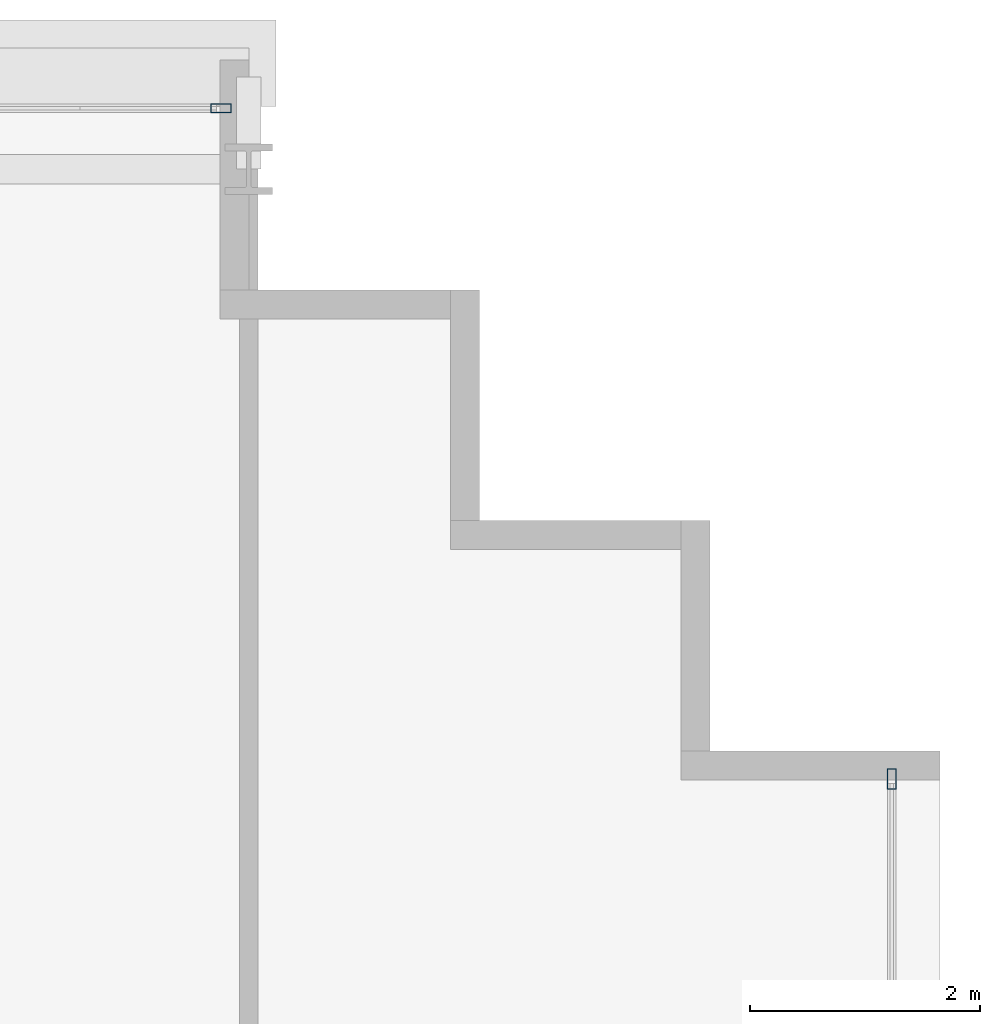
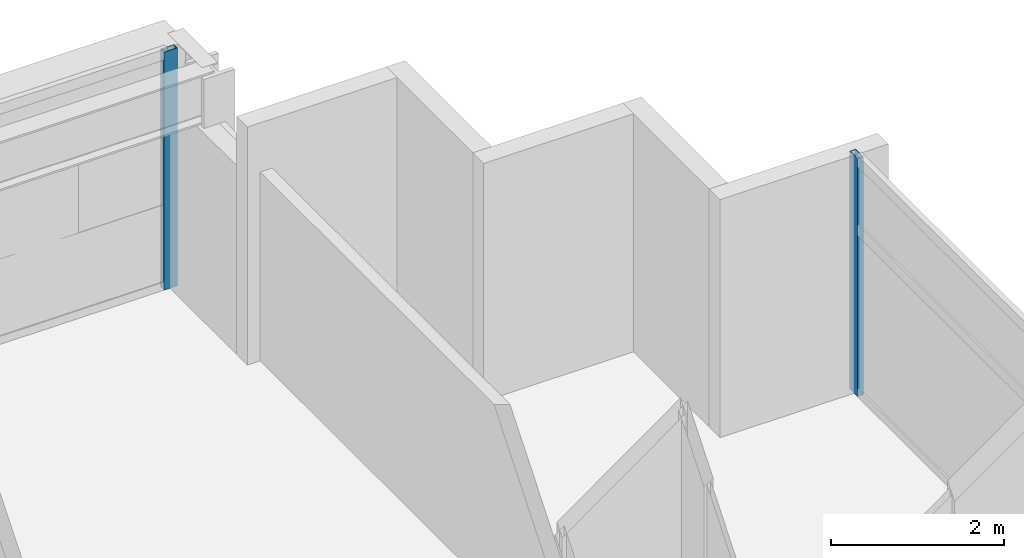
# One storey, part 22 of 35: 2 members, 2 elements without a shape of their own.
"""IFC4 building model written with IfcOpenShell, lengths in metres."""

from ifc_helpers import new_model, si_unit, direction, frame, origin, origin_2d, place, context, subcontext, project, spatial, hollow_rectangle, extrude, source, transform, mapped, material, layer, layer_set, material_profile, profile_set, type_object, element, aggregate, save


model = new_model("IFC4")

# Units and contexts
model_context = context("Model", 3, precision=1e-05, world=origin(), true_north=direction((0.0, 1.0)))
body_context = subcontext(model_context, "Body", "Model", "MODEL_VIEW")
ifc_project = project(units=[si_unit("LENGTHUNIT", "METRE"), si_unit("AREAUNIT", "SQUARE_METRE"), si_unit("VOLUMEUNIT", "CUBIC_METRE"), si_unit("PLANEANGLEUNIT", "RADIAN"), si_unit("MASSUNIT", "GRAM", prefix="KILO")], contexts=[model_context])

# Site, building, storey
site_placement = place(None, origin())
site = spatial("IfcSite", under=ifc_project, at=site_placement, CompositionType="ELEMENT")
building_placement = place(site_placement, origin())
building = spatial("IfcBuilding", under=site, at=building_placement, Name="Ocotamira Hotel", CompositionType="ELEMENT")
storey_placement = place(building_placement, frame((0.0, 0.0, 118.800048828125)))
storey = spatial("IfcBuildingStorey", under=building, at=storey_placement, Name="L29", CompositionType="ELEMENT", Elevation=118.800048828125)

# Curtain wall, member
ifc_material_1 = material(Name="Anodised pale-metal aluminium and solar glass", Category="aluminium")
ifc_layer = layer(ifc_material_1, 0.179931640625)
ifc_layer_set = layer_set([ifc_layer], Name="Anodised pale-metal aluminium and solar glass")
curtain_wall_type = type_object("IfcCurtainWallType", Name="CW-SYS3-Z2", PredefinedType="NOTDEFINED", material=ifc_layer_set)
curtain_wall_1_placement = place(storey_placement, origin())
curtain_wall_1 = element("IfcCurtainWall", 1, at=curtain_wall_1_placement, inside=storey, type_object=curtain_wall_type, Name="L29 Curtain Wall CW-3 CW-L29-N", PredefinedType="NOTDEFINED")
ifc_material_2 = material(Name="Anodised pale-metal aluminium 6063-T6", Category="aluminium")
ifc_material_profile = material_profile(ifc_material_2, hollow_rectangle(XDim=0.080078125, YDim=0.179931640625, WallThickness=0.006103515625, at=origin_2d()), Name="HSS180X80X6")
ifc_profile_set = profile_set([ifc_material_profile], Name="Anodised pale-metal aluminium 6063-T6")
member_type = type_object("IfcMemberType", Name="CWM-180X75", PredefinedType="MULLION", material=ifc_profile_set)
shared_shape = source(origin(), body_context, "Body", "SweptSolid", [
    extrude(hollow_rectangle(XDim=0.080078125, YDim=0.179931640625, WallThickness=0.006103515625, at=origin_2d()), origin(), (0.0, 0.0, 1.0), 3.35986328125),
])
member_1_placement = place(storey_placement, frame((49.760009765625, 49.580078125, 0.0), z_axis=(0.0, 0.0, 1.0), x_axis=(0.0, 1.0, 0.0)))
member_1 = element("IfcMember", 2, at=member_1_placement, type_object=member_type, Name="CW-3 mullion 10", PredefinedType="MULLION", context=body_context, shape_type="MappedRepresentation", body=[
    mapped(shared_shape, transform((0.0, 0.0, 0.0), scale=1.0)),
])
aggregate(curtain_wall_1, [member_1])

curtain_wall_2_placement = place(storey_placement, origin())
curtain_wall_2 = element("IfcCurtainWall", 3, at=curtain_wall_2_placement, inside=storey, type_object=curtain_wall_type, Name="L29 Curtain Wall CW-3 CW-L29-E", PredefinedType="NOTDEFINED")
member_2_placement = place(storey_placement, frame((55.580078125, 43.760009765625, 0.0), z_axis=(0.0, 0.0, 1.0), x_axis=(-1.0, 0.0, 0.0)))
member_2 = element("IfcMember", 4, at=member_2_placement, type_object=member_type, Name="CW-3 mullion 8", PredefinedType="MULLION", context=body_context, shape_type="MappedRepresentation", body=[
    mapped(shared_shape, transform((0.0, 0.0, 0.0), scale=1.0)),
])
aggregate(curtain_wall_2, [member_2])

save(model, "model.ifc")
